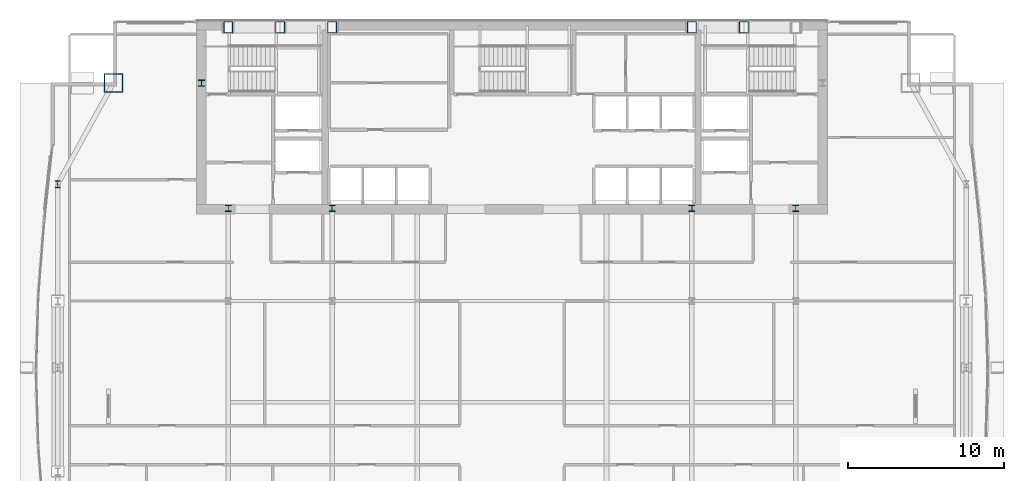
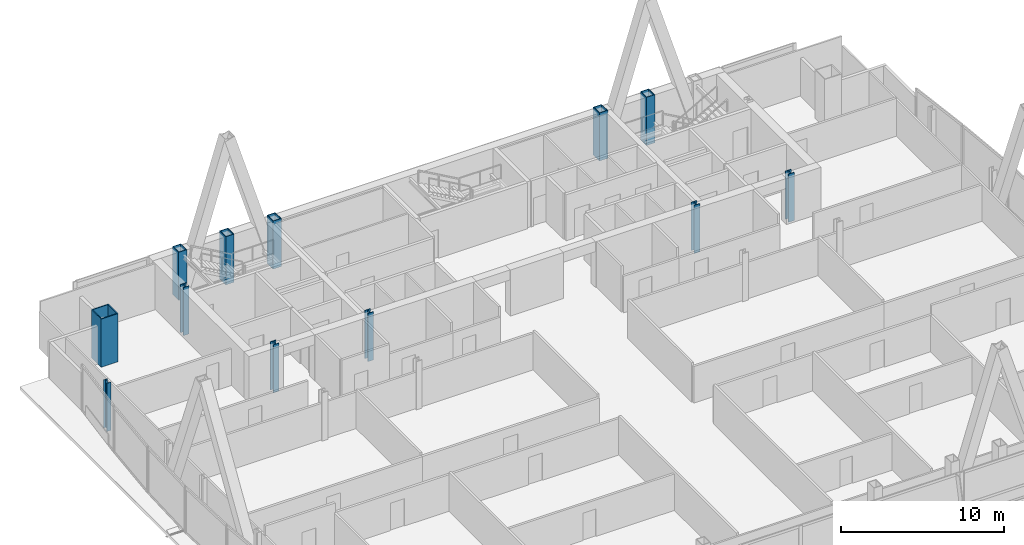
# One storey, part 3 of 32: 12 columns.
"""IFC4 building model written with IfcOpenShell, lengths in metres."""

from ifc_helpers import new_model, si_unit, direction, frame, origin, origin_2d, place, context, subcontext, project, spatial, hollow_rectangle, i_section, extrude, material, material_profile, profile_set, type_object, element, save


model = new_model("IFC4")

# Units and contexts
model_context = context("Model", 3, precision=1e-05, world=origin(), true_north=direction((0.0, 1.0)))
body_context = subcontext(model_context, "Body", "Model", "MODEL_VIEW")
ifc_project = project(units=[si_unit("LENGTHUNIT", "METRE"), si_unit("AREAUNIT", "SQUARE_METRE"), si_unit("VOLUMEUNIT", "CUBIC_METRE"), si_unit("PLANEANGLEUNIT", "RADIAN"), si_unit("MASSUNIT", "GRAM", prefix="KILO")], contexts=[model_context])

# Site, building, storey
site_placement = place(None, origin())
site = spatial("IfcSite", under=ifc_project, at=site_placement, CompositionType="ELEMENT")
building_placement = place(site_placement, origin())
building = spatial("IfcBuilding", under=site, at=building_placement, Name="Khoronbel Lancet Exchange", CompositionType="ELEMENT")
storey_placement = place(building_placement, frame((0.0, 0.0, 188.60009765625)))
storey = spatial("IfcBuildingStorey", under=building, at=storey_placement, Name="L47", CompositionType="ELEMENT", Elevation=188.60009765625)

# Columns
ifc_material_1 = material(Name="Steel S460", Category="steel")
ifc_material_profile_1 = material_profile(ifc_material_1, hollow_rectangle(XDim=0.60009765625, YDim=0.75, WallThickness=0.044921875, at=origin_2d()), Name="BOX 750x600x45")
ifc_profile_set_1 = profile_set([ifc_material_profile_1], Name="Steel S460")
column_type_1 = type_object("IfcColumnType", Name="COL-EC3", PredefinedType="COLUMN", material=ifc_profile_set_1)
for number, where, z_axis, x_axis, name in (
    (1, (18.22509765625, 53.280029296875, 0.0), (0.0, 0.0, 1.0), (1.0, 0.0, 0.0), "Structural column NC-W1 L47"),
    (2, (21.5625, 53.280029296875, 0.0), (0.0, 0.0, 1.0), (1.0, 0.0, 0.0), "Structural column NC-WM L47"),
    (3, (24.89990234375, 53.280029296875, 0.0), (0.0, 0.0, 1.0), (1.0, 0.0, 0.0), "Structural column NC-W2 L47"),
    (4, (48.0, 53.280029296875, 0.0), (0.0, 0.0, 1.0), (1.0, 0.0, 0.0), "Structural column NC-E1 L47"),
    (5, (51.33740234375, 53.280029296875, 0.0), (0.0, 0.0, 1.0), (1.0, 0.0, 0.0), "Structural column NC-EM L47"),
):
    element("IfcColumn", number, at=place(storey_placement, frame(where, z_axis=z_axis, x_axis=x_axis)), inside=storey, type_object=column_type_1, Name=name, PredefinedType="COLUMN", context=body_context, shape_type="SweptSolid", body=[
        extrude(hollow_rectangle(XDim=0.60009765625, YDim=0.75, WallThickness=0.044921875, at=origin_2d()), origin(), (0.0, 0.0, 1.0), 3.599853515625),
    ])
ifc_material_2 = material(Name="Steel S355", Category="steel")
ifc_material_profile_2 = material_profile(ifc_material_2, i_section(OverallWidth=0.406005859375, OverallDepth=0.416015625, WebThickness=0.02978515625, FlangeThickness=0.048095703125, at=origin_2d()), Name="HD 400x382")
ifc_profile_set_2 = profile_set([ifc_material_profile_2], Name="Steel S355")
column_type_2 = type_object("IfcColumnType", Name="COL-IC3", PredefinedType="COLUMN", material=ifc_profile_set_2)
for number, where, z_axis, x_axis, name in (
    (6, (16.5, 49.699951171875, 0.0), (0.0, 0.0, 1.0), (1.0, 0.0, 0.0), "Core-flank plumb transfer column CFW L47"),
    (7, (18.22509765625, 41.64990234375, 0.0), (0.0, 0.0, 1.0), (1.0, 0.0, 0.0), "Core-embedded steel column CTC1 L47"),
    (8, (24.89990234375, 41.64990234375, 0.0), (0.0, 0.0, 1.0), (1.0, 0.0, 0.0), "Core-embedded steel column CTC2 L47"),
    (9, (48.0, 41.64990234375, 0.0), (0.0, 0.0, 1.0), (1.0, 0.0, 0.0), "Core-embedded steel column CTC3 L47"),
    (10, (54.675048828125, 41.64990234375, 0.0), (0.0, 0.0, 1.0), (1.0, 0.0, 0.0), "Core-embedded steel column CTC4 L47"),
):
    element("IfcColumn", number, at=place(storey_placement, frame(where, z_axis=z_axis, x_axis=x_axis)), inside=storey, type_object=column_type_2, Name=name, PredefinedType="COLUMN", context=body_context, shape_type="SweptSolid", body=[
        extrude(i_section(OverallWidth=0.406005859375, OverallDepth=0.416015625, WebThickness=0.02978515625, FlangeThickness=0.048095703125, at=origin_2d()), origin(), (0.0, 0.0, 1.0), 3.599853515625),
    ])
ifc_material_profile_3 = material_profile(ifc_material_2, i_section(OverallWidth=0.300048828125, OverallDepth=0.449951171875, WebThickness=0.013916015625, FlangeThickness=0.02587890625, at=origin_2d()), Name="HEB 450")
ifc_profile_set_3 = profile_set([ifc_material_profile_3], Name="Steel S355")
column_type_3 = type_object("IfcColumnType", Name="COL-LC2", PredefinedType="COLUMN", material=ifc_profile_set_3)
column_1_placement = place(storey_placement, frame((7.27001953125, 43.199951171875, 0.0), z_axis=(0.0, 0.0, 1.0), x_axis=(1.0, 0.0, 0.0)))
element("IfcColumn", 11, at=column_1_placement, inside=storey, type_object=column_type_3, Name="Structural column WC-4 L47", PredefinedType="COLUMN", context=body_context, shape_type="SweptSolid", body=[
    extrude(i_section(OverallWidth=0.300048828125, OverallDepth=0.449951171875, WebThickness=0.013916015625, FlangeThickness=0.02587890625, at=origin_2d()), origin(), (0.0, 0.0, 1.0), 3.599853515625),
])
ifc_material_profile_4 = material_profile(ifc_material_1, hollow_rectangle(XDim=1.199951171875, YDim=1.199951171875, WallThickness=0.06005859375, at=origin_2d()), Name="BOX 1200x1200x60")
ifc_profile_set_4 = profile_set([ifc_material_profile_4], Name="Steel S460")
column_type_4 = type_object("IfcColumnType", Name="COL-MC5", PredefinedType="COLUMN", material=ifc_profile_set_4)
column_2_placement = place(storey_placement, frame((10.85009765625, 49.699951171875, 0.0), z_axis=(0.0, 0.0, 1.0), x_axis=(1.0, 0.0, 0.0)))
element("IfcColumn", 12, at=column_2_placement, inside=storey, type_object=column_type_4, Name="Structural column MC-NW L47", PredefinedType="COLUMN", context=body_context, shape_type="SweptSolid", body=[
    extrude(hollow_rectangle(XDim=1.199951171875, YDim=1.199951171875, WallThickness=0.06005859375, at=origin_2d()), origin(), (0.0, 0.0, 1.0), 3.599853515625),
])

save(model, "model.ifc")
